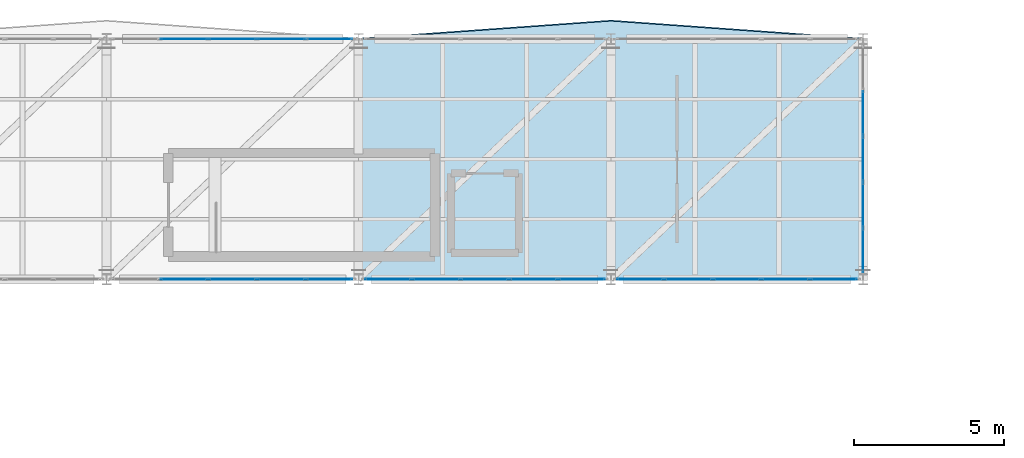
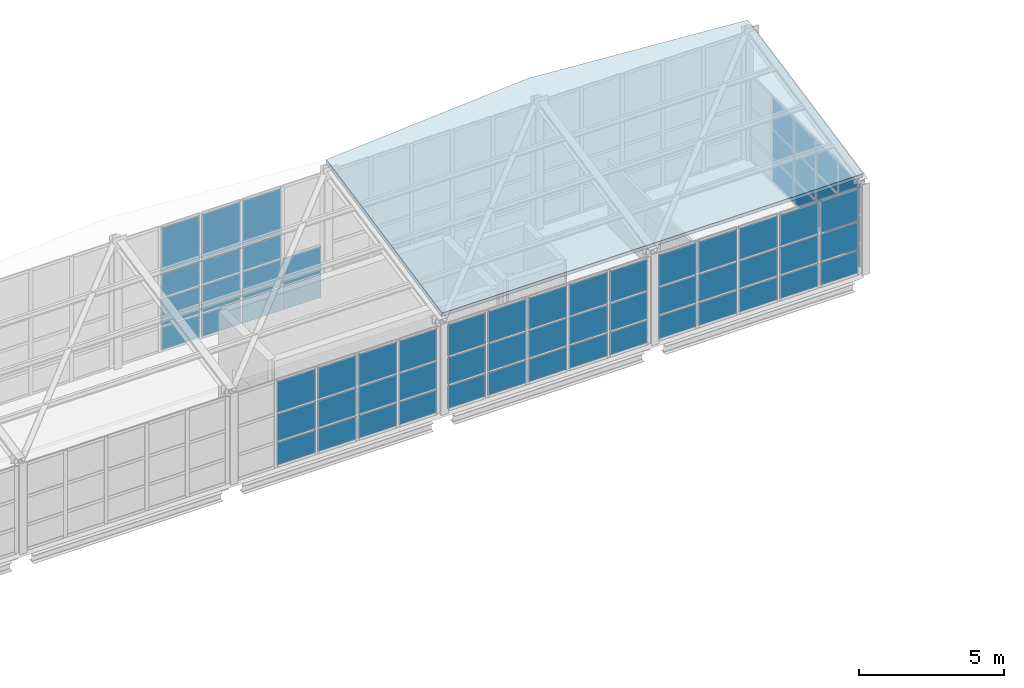
# One storey, part 139 of 177: 68 plates, 1 slab, 5 elements without a shape of their own.
"""IFC4 building model written with IfcOpenShell, lengths in metres."""

from ifc_helpers import new_model, si_unit, direction, frame, origin, origin_2d, place, context, subcontext, project, spatial, polyline, rectangle, outline, extrude, material, layer, layer_set, type_object, element, aggregate, save


model = new_model("IFC4")

# Units and contexts
model_context = context("Model", 3, precision=1e-05, world=origin(), true_north=direction((0.0, 1.0)))
body_context = subcontext(model_context, "Body", "Model", "MODEL_VIEW")
ifc_project = project(units=[si_unit("LENGTHUNIT", "METRE"), si_unit("AREAUNIT", "SQUARE_METRE"), si_unit("VOLUMEUNIT", "CUBIC_METRE"), si_unit("PLANEANGLEUNIT", "RADIAN"), si_unit("MASSUNIT", "GRAM", prefix="KILO"), si_unit("THERMODYNAMICTEMPERATUREUNIT", "KELVIN"), si_unit("POWERUNIT", "WATT")], contexts=[model_context])

# Site, building, storey
site_placement = place(None, origin())
site = spatial("IfcSite", under=ifc_project, at=site_placement, CompositionType="ELEMENT")
building_placement = place(site_placement, origin())
building = spatial("IfcBuilding", under=site, at=building_placement, Name="Mavoryth Pier Ferry Terminal", CompositionType="ELEMENT")
storey_placement = place(building_placement, frame((0.0, 0.0, 5.43994140625)))
storey = spatial("IfcBuildingStorey", under=building, at=storey_placement, Name="L01", CompositionType="ELEMENT", Elevation=5.43994140625)

# Curtain wall, plates
ifc_material_1 = material(Name="Anodised Aluminium and Solar-Control Low-E Glass", Category="aluminium")
ifc_layer_1 = layer(ifc_material_1, 0.139892578125, Name="Anodised Aluminium and Solar-Control Low-E Glass", Category="aluminium")
ifc_layer_set_1 = layer_set([ifc_layer_1], Name="Anodised Aluminium and Solar-Control Low-E Glass - CW-Gallery-Mod1600")
curtain_wall_type = type_object("IfcCurtainWallType", Name="CW-Gallery-Mod1600", PredefinedType="USERDEFINED", material=ifc_layer_set_1)
curtain_wall_1_placement = place(storey_placement, origin())
curtain_wall_1 = element("IfcCurtainWall", 1, at=curtain_wall_1_placement, inside=storey, type_object=curtain_wall_type, Name="Curtain Wall CW-0122-090", ObjectType="UNITISED CURTAIN WALL", PredefinedType="USERDEFINED")
ifc_material_2 = material(Name="Solar-Control Low-E Laminated Double Glazing", Category="glass")
ifc_layer_2 = layer(ifc_material_2, 0.02392578125, Name="Solar-Control Low-E Laminated Double Glazing", Category="glass")
ifc_layer_set_2 = layer_set([ifc_layer_2], Name="Solar-Control Low-E Laminated Double Glazing - Panel-LowE-DGU-24")
plate_type = type_object("IfcPlateType", Name="Panel-LowE-DGU-24", PredefinedType="CURTAIN_PANEL", material=ifc_layer_set_2)
plate_1_placement = place(storey_placement, frame((133.425048828125, 114.0, 0.06005859375), z_axis=(0.0, 0.0, 1.0), x_axis=(-1.0, 0.0, 0.0)))
plate_1 = element("IfcPlate", 2, at=plate_1_placement, type_object=plate_type, Name="CW05 panel 1.1", PredefinedType="CURTAIN_PANEL", context=body_context, shape_type="SweptSolid", body=[
    extrude(rectangle(XDim=1.530029296875, YDim=0.02392578125, at=origin_2d()), origin(), (0.0, 0.0, 1.0), 0.9599609375),
])
plate_2_placement = place(storey_placement, frame((133.425048828125, 114.0, 1.080078125), z_axis=(0.0, 0.0, 1.0), x_axis=(-1.0, 0.0, 0.0)))
plate_2 = element("IfcPlate", 3, at=plate_2_placement, type_object=plate_type, Name="CW05 panel 1.2", PredefinedType="CURTAIN_PANEL", context=body_context, shape_type="SweptSolid", body=[
    extrude(rectangle(XDim=1.530029296875, YDim=0.02392578125, at=origin_2d()), origin(), (0.0, 0.0, 1.0), 1.139892578125),
])
plate_3_placement = place(storey_placement, frame((131.820068359375, 114.0, 0.06005859375), z_axis=(0.0, 0.0, 1.0), x_axis=(-1.0, 0.0, 0.0)))
plate_3 = element("IfcPlate", 4, at=plate_3_placement, type_object=plate_type, Name="CW05 panel 2.1", PredefinedType="CURTAIN_PANEL", context=body_context, shape_type="SweptSolid", body=[
    extrude(rectangle(XDim=1.56005859375, YDim=0.02392578125, at=origin_2d()), origin(), (0.0, 0.0, 1.0), 0.9599609375),
])
plate_4_placement = place(storey_placement, frame((131.820068359375, 114.0, 1.080078125), z_axis=(0.0, 0.0, 1.0), x_axis=(-1.0, 0.0, 0.0)))
plate_4 = element("IfcPlate", 5, at=plate_4_placement, type_object=plate_type, Name="CW05 panel 2.2", PredefinedType="CURTAIN_PANEL", context=body_context, shape_type="SweptSolid", body=[
    extrude(rectangle(XDim=1.56005859375, YDim=0.02392578125, at=origin_2d()), origin(), (0.0, 0.0, 1.0), 1.139892578125),
])
plate_5_placement = place(storey_placement, frame((131.820068359375, 114.0, 2.2802734375), z_axis=(0.0, 0.0, 1.0), x_axis=(-1.0, 0.0, 0.0)))
plate_5 = element("IfcPlate", 6, at=plate_5_placement, type_object=plate_type, Name="CW05 panel 2.3", PredefinedType="CURTAIN_PANEL", context=body_context, shape_type="SweptSolid", body=[
    extrude(rectangle(XDim=1.56005859375, YDim=0.02392578125, at=origin_2d()), origin(), (0.0, 0.0, 1.0), 0.989990234375),
])
plate_6_placement = place(storey_placement, frame((131.820068359375, 114.0, 3.330078125), z_axis=(0.0, 0.0, 1.0), x_axis=(-1.0, 0.0, 0.0)))
plate_6 = element("IfcPlate", 7, at=plate_6_placement, type_object=plate_type, Name="CW05 panel 2.4", PredefinedType="CURTAIN_PANEL", context=body_context, shape_type="SweptSolid", body=[
    extrude(rectangle(XDim=1.56005859375, YDim=0.02392578125, at=origin_2d()), origin(), (0.0, 0.0, 1.0), 1.897705078125),
])
plate_7_placement = place(storey_placement, frame((130.199951171875, 114.0, 0.06005859375), z_axis=(0.0, 0.0, 1.0), x_axis=(-1.0, 0.0, 0.0)))
plate_7 = element("IfcPlate", 8, at=plate_7_placement, type_object=plate_type, Name="CW05 panel 3.1", PredefinedType="CURTAIN_PANEL", context=body_context, shape_type="SweptSolid", body=[
    extrude(rectangle(XDim=1.56005859375, YDim=0.02392578125, at=origin_2d()), origin(), (0.0, 0.0, 1.0), 0.9599609375),
])
plate_8_placement = place(storey_placement, frame((130.199951171875, 114.0, 1.080078125), z_axis=(0.0, 0.0, 1.0), x_axis=(-1.0, 0.0, 0.0)))
plate_8 = element("IfcPlate", 9, at=plate_8_placement, type_object=plate_type, Name="CW05 panel 3.2", PredefinedType="CURTAIN_PANEL", context=body_context, shape_type="SweptSolid", body=[
    extrude(rectangle(XDim=1.56005859375, YDim=0.02392578125, at=origin_2d()), origin(), (0.0, 0.0, 1.0), 1.139892578125),
])
plate_9_placement = place(storey_placement, frame((130.199951171875, 114.0, 2.2802734375), z_axis=(0.0, 0.0, 1.0), x_axis=(-1.0, 0.0, 0.0)))
plate_9 = element("IfcPlate", 10, at=plate_9_placement, type_object=plate_type, Name="CW05 panel 3.3", PredefinedType="CURTAIN_PANEL", context=body_context, shape_type="SweptSolid", body=[
    extrude(rectangle(XDim=1.56005859375, YDim=0.02392578125, at=origin_2d()), origin(), (0.0, 0.0, 1.0), 0.989990234375),
])
plate_10_placement = place(storey_placement, frame((130.199951171875, 114.0, 3.330078125), z_axis=(0.0, 0.0, 1.0), x_axis=(-1.0, 0.0, 0.0)))
plate_10 = element("IfcPlate", 11, at=plate_10_placement, type_object=plate_type, Name="CW05 panel 3.4", PredefinedType="CURTAIN_PANEL", context=body_context, shape_type="SweptSolid", body=[
    extrude(rectangle(XDim=1.56005859375, YDim=0.02392578125, at=origin_2d()), origin(), (0.0, 0.0, 1.0), 1.897705078125),
])
plate_11_placement = place(storey_placement, frame((128.580078125, 114.0, 0.06005859375), z_axis=(0.0, 0.0, 1.0), x_axis=(-1.0, 0.0, 0.0)))
plate_11 = element("IfcPlate", 12, at=plate_11_placement, type_object=plate_type, Name="CW05 panel 4.1", PredefinedType="CURTAIN_PANEL", context=body_context, shape_type="SweptSolid", body=[
    extrude(rectangle(XDim=1.56005859375, YDim=0.02392578125, at=origin_2d()), origin(), (0.0, 0.0, 1.0), 0.9599609375),
])
plate_12_placement = place(storey_placement, frame((128.580078125, 114.0, 1.080078125), z_axis=(0.0, 0.0, 1.0), x_axis=(-1.0, 0.0, 0.0)))
plate_12 = element("IfcPlate", 13, at=plate_12_placement, type_object=plate_type, Name="CW05 panel 4.2", PredefinedType="CURTAIN_PANEL", context=body_context, shape_type="SweptSolid", body=[
    extrude(rectangle(XDim=1.56005859375, YDim=0.02392578125, at=origin_2d()), origin(), (0.0, 0.0, 1.0), 1.139892578125),
])
plate_13_placement = place(storey_placement, frame((128.580078125, 114.0, 2.2802734375), z_axis=(0.0, 0.0, 1.0), x_axis=(-1.0, 0.0, 0.0)))
plate_13 = element("IfcPlate", 14, at=plate_13_placement, type_object=plate_type, Name="CW05 panel 4.3", PredefinedType="CURTAIN_PANEL", context=body_context, shape_type="SweptSolid", body=[
    extrude(rectangle(XDim=1.56005859375, YDim=0.02392578125, at=origin_2d()), origin(), (0.0, 0.0, 1.0), 0.989990234375),
])
plate_14_placement = place(storey_placement, frame((128.580078125, 114.0, 3.330078125), z_axis=(0.0, 0.0, 1.0), x_axis=(-1.0, 0.0, 0.0)))
plate_14 = element("IfcPlate", 15, at=plate_14_placement, type_object=plate_type, Name="CW05 panel 4.4", PredefinedType="CURTAIN_PANEL", context=body_context, shape_type="SweptSolid", body=[
    extrude(rectangle(XDim=1.56005859375, YDim=0.02392578125, at=origin_2d()), origin(), (0.0, 0.0, 1.0), 1.897705078125),
])
aggregate(curtain_wall_1, [plate_1, plate_2, plate_3, plate_4, plate_5, plate_6, plate_7, plate_8, plate_9, plate_10, plate_11, plate_12, plate_13, plate_14])

curtain_wall_2_placement = place(storey_placement, origin())
curtain_wall_2 = element("IfcCurtainWall", 16, at=curtain_wall_2_placement, inside=storey, type_object=curtain_wall_type, Name="Curtain Wall CW-0122-091", ObjectType="UNITISED CURTAIN WALL", PredefinedType="USERDEFINED")
plate_15_placement = place(storey_placement, frame((128.580078125, 106.0, 0.06005859375), z_axis=(0.0, 0.0, 1.0), x_axis=(1.0, 0.0, 0.0)))
plate_15 = element("IfcPlate", 17, at=plate_15_placement, type_object=plate_type, Name="CW05 panel 2.1", PredefinedType="CURTAIN_PANEL", context=body_context, shape_type="SweptSolid", body=[
    extrude(rectangle(XDim=1.56005859375, YDim=0.02392578125, at=origin_2d()), origin(), (0.0, 0.0, 1.0), 0.9599609375),
])
plate_16_placement = place(storey_placement, frame((128.580078125, 106.0, 1.080078125), z_axis=(0.0, 0.0, 1.0), x_axis=(1.0, 0.0, 0.0)))
plate_16 = element("IfcPlate", 18, at=plate_16_placement, type_object=plate_type, Name="CW05 panel 2.2", PredefinedType="CURTAIN_PANEL", context=body_context, shape_type="SweptSolid", body=[
    extrude(rectangle(XDim=1.56005859375, YDim=0.02392578125, at=origin_2d()), origin(), (0.0, 0.0, 1.0), 1.139892578125),
])
plate_17_placement = place(storey_placement, frame((128.580078125, 106.0, 2.27978515625), z_axis=(0.0, 0.0, 1.0), x_axis=(1.0, 0.0, 0.0)))
plate_17 = element("IfcPlate", 19, at=plate_17_placement, type_object=plate_type, Name="CW05 panel 2.3", PredefinedType="CURTAIN_PANEL", context=body_context, shape_type="SweptSolid", body=[
    extrude(rectangle(XDim=1.56005859375, YDim=0.02392578125, at=origin_2d()), origin(), (0.0, 0.0, 1.0), 1.320068359375),
])
plate_18_placement = place(storey_placement, frame((130.199951171875, 106.0, 0.06005859375), z_axis=(0.0, 0.0, 1.0), x_axis=(1.0, 0.0, 0.0)))
plate_18 = element("IfcPlate", 20, at=plate_18_placement, type_object=plate_type, Name="CW05 panel 3.1", PredefinedType="CURTAIN_PANEL", context=body_context, shape_type="SweptSolid", body=[
    extrude(rectangle(XDim=1.56005859375, YDim=0.02392578125, at=origin_2d()), origin(), (0.0, 0.0, 1.0), 0.9599609375),
])
plate_19_placement = place(storey_placement, frame((130.199951171875, 106.0, 1.080078125), z_axis=(0.0, 0.0, 1.0), x_axis=(1.0, 0.0, 0.0)))
plate_19 = element("IfcPlate", 21, at=plate_19_placement, type_object=plate_type, Name="CW05 panel 3.2", PredefinedType="CURTAIN_PANEL", context=body_context, shape_type="SweptSolid", body=[
    extrude(rectangle(XDim=1.56005859375, YDim=0.02392578125, at=origin_2d()), origin(), (0.0, 0.0, 1.0), 1.139892578125),
])
plate_20_placement = place(storey_placement, frame((130.199951171875, 106.0, 2.27978515625), z_axis=(0.0, 0.0, 1.0), x_axis=(1.0, 0.0, 0.0)))
plate_20 = element("IfcPlate", 22, at=plate_20_placement, type_object=plate_type, Name="CW05 panel 3.3", PredefinedType="CURTAIN_PANEL", context=body_context, shape_type="SweptSolid", body=[
    extrude(rectangle(XDim=1.56005859375, YDim=0.02392578125, at=origin_2d()), origin(), (0.0, 0.0, 1.0), 1.320068359375),
])
plate_21_placement = place(storey_placement, frame((131.820068359375, 106.0, 0.06005859375), z_axis=(0.0, 0.0, 1.0), x_axis=(1.0, 0.0, 0.0)))
plate_21 = element("IfcPlate", 23, at=plate_21_placement, type_object=plate_type, Name="CW05 panel 4.1", PredefinedType="CURTAIN_PANEL", context=body_context, shape_type="SweptSolid", body=[
    extrude(rectangle(XDim=1.56005859375, YDim=0.02392578125, at=origin_2d()), origin(), (0.0, 0.0, 1.0), 0.9599609375),
])
plate_22_placement = place(storey_placement, frame((131.820068359375, 106.0, 1.080078125), z_axis=(0.0, 0.0, 1.0), x_axis=(1.0, 0.0, 0.0)))
plate_22 = element("IfcPlate", 24, at=plate_22_placement, type_object=plate_type, Name="CW05 panel 4.2", PredefinedType="CURTAIN_PANEL", context=body_context, shape_type="SweptSolid", body=[
    extrude(rectangle(XDim=1.56005859375, YDim=0.02392578125, at=origin_2d()), origin(), (0.0, 0.0, 1.0), 1.139892578125),
])
plate_23_placement = place(storey_placement, frame((131.820068359375, 106.0, 2.27978515625), z_axis=(0.0, 0.0, 1.0), x_axis=(1.0, 0.0, 0.0)))
plate_23 = element("IfcPlate", 25, at=plate_23_placement, type_object=plate_type, Name="CW05 panel 4.3", PredefinedType="CURTAIN_PANEL", context=body_context, shape_type="SweptSolid", body=[
    extrude(rectangle(XDim=1.56005859375, YDim=0.02392578125, at=origin_2d()), origin(), (0.0, 0.0, 1.0), 1.320068359375),
])
plate_24_placement = place(storey_placement, frame((133.425048828125, 106.0, 0.06005859375), z_axis=(0.0, 0.0, 1.0), x_axis=(1.0, 0.0, 0.0)))
plate_24 = element("IfcPlate", 26, at=plate_24_placement, type_object=plate_type, Name="CW05 panel 5.1", PredefinedType="CURTAIN_PANEL", context=body_context, shape_type="SweptSolid", body=[
    extrude(rectangle(XDim=1.530029296875, YDim=0.02392578125, at=origin_2d()), origin(), (0.0, 0.0, 1.0), 0.9599609375),
])
plate_25_placement = place(storey_placement, frame((133.425048828125, 106.0, 1.080078125), z_axis=(0.0, 0.0, 1.0), x_axis=(1.0, 0.0, 0.0)))
plate_25 = element("IfcPlate", 27, at=plate_25_placement, type_object=plate_type, Name="CW05 panel 5.2", PredefinedType="CURTAIN_PANEL", context=body_context, shape_type="SweptSolid", body=[
    extrude(rectangle(XDim=1.530029296875, YDim=0.02392578125, at=origin_2d()), origin(), (0.0, 0.0, 1.0), 1.139892578125),
])
plate_26_placement = place(storey_placement, frame((133.425048828125, 106.0, 2.27978515625), z_axis=(0.0, 0.0, 1.0), x_axis=(1.0, 0.0, 0.0)))
plate_26 = element("IfcPlate", 28, at=plate_26_placement, type_object=plate_type, Name="CW05 panel 5.3", PredefinedType="CURTAIN_PANEL", context=body_context, shape_type="SweptSolid", body=[
    extrude(rectangle(XDim=1.530029296875, YDim=0.02392578125, at=origin_2d()), origin(), (0.0, 0.0, 1.0), 1.320068359375),
])
aggregate(curtain_wall_2, [plate_15, plate_16, plate_17, plate_18, plate_19, plate_20, plate_21, plate_22, plate_23, plate_24, plate_25, plate_26])

curtain_wall_3_placement = place(storey_placement, origin())
curtain_wall_3 = element("IfcCurtainWall", 29, at=curtain_wall_3_placement, inside=storey, type_object=curtain_wall_type, Name="Curtain Wall CW-0122-093", ObjectType="UNITISED CURTAIN WALL", PredefinedType="USERDEFINED")
plate_27_placement = place(storey_placement, frame((135.375, 106.0, 0.06005859375), z_axis=(0.0, 0.0, 1.0), x_axis=(1.0, 0.0, 0.0)))
plate_27 = element("IfcPlate", 30, at=plate_27_placement, type_object=plate_type, Name="CW05 panel 1.1", PredefinedType="CURTAIN_PANEL", context=body_context, shape_type="SweptSolid", body=[
    extrude(rectangle(XDim=1.530029296875, YDim=0.02392578125, at=origin_2d()), origin(), (0.0, 0.0, 1.0), 0.9599609375),
])
plate_28_placement = place(storey_placement, frame((135.375, 106.0, 1.080078125), z_axis=(0.0, 0.0, 1.0), x_axis=(1.0, 0.0, 0.0)))
plate_28 = element("IfcPlate", 31, at=plate_28_placement, type_object=plate_type, Name="CW05 panel 1.2", PredefinedType="CURTAIN_PANEL", context=body_context, shape_type="SweptSolid", body=[
    extrude(rectangle(XDim=1.530029296875, YDim=0.02392578125, at=origin_2d()), origin(), (0.0, 0.0, 1.0), 1.139892578125),
])
plate_29_placement = place(storey_placement, frame((135.375, 106.0, 2.27978515625), z_axis=(0.0, 0.0, 1.0), x_axis=(1.0, 0.0, 0.0)))
plate_29 = element("IfcPlate", 32, at=plate_29_placement, type_object=plate_type, Name="CW05 panel 1.3", PredefinedType="CURTAIN_PANEL", context=body_context, shape_type="SweptSolid", body=[
    extrude(rectangle(XDim=1.530029296875, YDim=0.02392578125, at=origin_2d()), origin(), (0.0, 0.0, 1.0), 1.320068359375),
])
plate_30_placement = place(storey_placement, frame((136.97998046875, 106.0, 0.06005859375), z_axis=(0.0, 0.0, 1.0), x_axis=(1.0, 0.0, 0.0)))
plate_30 = element("IfcPlate", 33, at=plate_30_placement, type_object=plate_type, Name="CW05 panel 2.1", PredefinedType="CURTAIN_PANEL", context=body_context, shape_type="SweptSolid", body=[
    extrude(rectangle(XDim=1.56005859375, YDim=0.02392578125, at=origin_2d()), origin(), (0.0, 0.0, 1.0), 0.9599609375),
])
plate_31_placement = place(storey_placement, frame((136.97998046875, 106.0, 1.080078125), z_axis=(0.0, 0.0, 1.0), x_axis=(1.0, 0.0, 0.0)))
plate_31 = element("IfcPlate", 34, at=plate_31_placement, type_object=plate_type, Name="CW05 panel 2.2", PredefinedType="CURTAIN_PANEL", context=body_context, shape_type="SweptSolid", body=[
    extrude(rectangle(XDim=1.56005859375, YDim=0.02392578125, at=origin_2d()), origin(), (0.0, 0.0, 1.0), 1.139892578125),
])
plate_32_placement = place(storey_placement, frame((136.97998046875, 106.0, 2.27978515625), z_axis=(0.0, 0.0, 1.0), x_axis=(1.0, 0.0, 0.0)))
plate_32 = element("IfcPlate", 35, at=plate_32_placement, type_object=plate_type, Name="CW05 panel 2.3", PredefinedType="CURTAIN_PANEL", context=body_context, shape_type="SweptSolid", body=[
    extrude(rectangle(XDim=1.56005859375, YDim=0.02392578125, at=origin_2d()), origin(), (0.0, 0.0, 1.0), 1.320068359375),
])
plate_33_placement = place(storey_placement, frame((138.60009765625, 106.0, 0.06005859375), z_axis=(0.0, 0.0, 1.0), x_axis=(1.0, 0.0, 0.0)))
plate_33 = element("IfcPlate", 36, at=plate_33_placement, type_object=plate_type, Name="CW05 panel 3.1", PredefinedType="CURTAIN_PANEL", context=body_context, shape_type="SweptSolid", body=[
    extrude(rectangle(XDim=1.56005859375, YDim=0.02392578125, at=origin_2d()), origin(), (0.0, 0.0, 1.0), 0.9599609375),
])
plate_34_placement = place(storey_placement, frame((138.60009765625, 106.0, 1.080078125), z_axis=(0.0, 0.0, 1.0), x_axis=(1.0, 0.0, 0.0)))
plate_34 = element("IfcPlate", 37, at=plate_34_placement, type_object=plate_type, Name="CW05 panel 3.2", PredefinedType="CURTAIN_PANEL", context=body_context, shape_type="SweptSolid", body=[
    extrude(rectangle(XDim=1.56005859375, YDim=0.02392578125, at=origin_2d()), origin(), (0.0, 0.0, 1.0), 1.139892578125),
])
plate_35_placement = place(storey_placement, frame((138.60009765625, 106.0, 2.27978515625), z_axis=(0.0, 0.0, 1.0), x_axis=(1.0, 0.0, 0.0)))
plate_35 = element("IfcPlate", 38, at=plate_35_placement, type_object=plate_type, Name="CW05 panel 3.3", PredefinedType="CURTAIN_PANEL", context=body_context, shape_type="SweptSolid", body=[
    extrude(rectangle(XDim=1.56005859375, YDim=0.02392578125, at=origin_2d()), origin(), (0.0, 0.0, 1.0), 1.320068359375),
])
plate_36_placement = place(storey_placement, frame((140.219970703125, 106.0, 0.06005859375), z_axis=(0.0, 0.0, 1.0), x_axis=(1.0, 0.0, 0.0)))
plate_36 = element("IfcPlate", 39, at=plate_36_placement, type_object=plate_type, Name="CW05 panel 4.1", PredefinedType="CURTAIN_PANEL", context=body_context, shape_type="SweptSolid", body=[
    extrude(rectangle(XDim=1.56005859375, YDim=0.02392578125, at=origin_2d()), origin(), (0.0, 0.0, 1.0), 0.9599609375),
])
plate_37_placement = place(storey_placement, frame((140.219970703125, 106.0, 1.080078125), z_axis=(0.0, 0.0, 1.0), x_axis=(1.0, 0.0, 0.0)))
plate_37 = element("IfcPlate", 40, at=plate_37_placement, type_object=plate_type, Name="CW05 panel 4.2", PredefinedType="CURTAIN_PANEL", context=body_context, shape_type="SweptSolid", body=[
    extrude(rectangle(XDim=1.56005859375, YDim=0.02392578125, at=origin_2d()), origin(), (0.0, 0.0, 1.0), 1.139892578125),
])
plate_38_placement = place(storey_placement, frame((140.219970703125, 106.0, 2.27978515625), z_axis=(0.0, 0.0, 1.0), x_axis=(1.0, 0.0, 0.0)))
plate_38 = element("IfcPlate", 41, at=plate_38_placement, type_object=plate_type, Name="CW05 panel 4.3", PredefinedType="CURTAIN_PANEL", context=body_context, shape_type="SweptSolid", body=[
    extrude(rectangle(XDim=1.56005859375, YDim=0.02392578125, at=origin_2d()), origin(), (0.0, 0.0, 1.0), 1.320068359375),
])
plate_39_placement = place(storey_placement, frame((141.824951171875, 106.0, 0.06005859375), z_axis=(0.0, 0.0, 1.0), x_axis=(1.0, 0.0, 0.0)))
plate_39 = element("IfcPlate", 42, at=plate_39_placement, type_object=plate_type, Name="CW05 panel 5.1", PredefinedType="CURTAIN_PANEL", context=body_context, shape_type="SweptSolid", body=[
    extrude(rectangle(XDim=1.530029296875, YDim=0.02392578125, at=origin_2d()), origin(), (0.0, 0.0, 1.0), 0.9599609375),
])
plate_40_placement = place(storey_placement, frame((141.824951171875, 106.0, 1.080078125), z_axis=(0.0, 0.0, 1.0), x_axis=(1.0, 0.0, 0.0)))
plate_40 = element("IfcPlate", 43, at=plate_40_placement, type_object=plate_type, Name="CW05 panel 5.2", PredefinedType="CURTAIN_PANEL", context=body_context, shape_type="SweptSolid", body=[
    extrude(rectangle(XDim=1.530029296875, YDim=0.02392578125, at=origin_2d()), origin(), (0.0, 0.0, 1.0), 1.139892578125),
])
plate_41_placement = place(storey_placement, frame((141.824951171875, 106.0, 2.27978515625), z_axis=(0.0, 0.0, 1.0), x_axis=(1.0, 0.0, 0.0)))
plate_41 = element("IfcPlate", 44, at=plate_41_placement, type_object=plate_type, Name="CW05 panel 5.3", PredefinedType="CURTAIN_PANEL", context=body_context, shape_type="SweptSolid", body=[
    extrude(rectangle(XDim=1.530029296875, YDim=0.02392578125, at=origin_2d()), origin(), (0.0, 0.0, 1.0), 1.320068359375),
])
aggregate(curtain_wall_3, [plate_27, plate_28, plate_29, plate_30, plate_31, plate_32, plate_33, plate_34, plate_35, plate_36, plate_37, plate_38, plate_39, plate_40, plate_41])

curtain_wall_4_placement = place(storey_placement, origin())
curtain_wall_4 = element("IfcCurtainWall", 45, at=curtain_wall_4_placement, inside=storey, type_object=curtain_wall_type, Name="Curtain Wall CW-0122-095", ObjectType="UNITISED CURTAIN WALL", PredefinedType="USERDEFINED")
plate_42_placement = place(storey_placement, frame((143.77490234375, 106.0, 0.06005859375), z_axis=(0.0, 0.0, 1.0), x_axis=(1.0, 0.0, 0.0)))
plate_42 = element("IfcPlate", 46, at=plate_42_placement, type_object=plate_type, Name="CW05 panel 1.1", PredefinedType="CURTAIN_PANEL", context=body_context, shape_type="SweptSolid", body=[
    extrude(rectangle(XDim=1.530029296875, YDim=0.02392578125, at=origin_2d()), origin(), (0.0, 0.0, 1.0), 0.9599609375),
])
plate_43_placement = place(storey_placement, frame((143.77490234375, 106.0, 1.080078125), z_axis=(0.0, 0.0, 1.0), x_axis=(1.0, 0.0, 0.0)))
plate_43 = element("IfcPlate", 47, at=plate_43_placement, type_object=plate_type, Name="CW05 panel 1.2", PredefinedType="CURTAIN_PANEL", context=body_context, shape_type="SweptSolid", body=[
    extrude(rectangle(XDim=1.530029296875, YDim=0.02392578125, at=origin_2d()), origin(), (0.0, 0.0, 1.0), 1.139892578125),
])
plate_44_placement = place(storey_placement, frame((143.77490234375, 106.0, 2.27978515625), z_axis=(0.0, 0.0, 1.0), x_axis=(1.0, 0.0, 0.0)))
plate_44 = element("IfcPlate", 48, at=plate_44_placement, type_object=plate_type, Name="CW05 panel 1.3", PredefinedType="CURTAIN_PANEL", context=body_context, shape_type="SweptSolid", body=[
    extrude(rectangle(XDim=1.530029296875, YDim=0.02392578125, at=origin_2d()), origin(), (0.0, 0.0, 1.0), 1.320068359375),
])
plate_45_placement = place(storey_placement, frame((145.3798828125, 106.0, 0.06005859375), z_axis=(0.0, 0.0, 1.0), x_axis=(1.0, 0.0, 0.0)))
plate_45 = element("IfcPlate", 49, at=plate_45_placement, type_object=plate_type, Name="CW05 panel 2.1", PredefinedType="CURTAIN_PANEL", context=body_context, shape_type="SweptSolid", body=[
    extrude(rectangle(XDim=1.56005859375, YDim=0.02392578125, at=origin_2d()), origin(), (0.0, 0.0, 1.0), 0.9599609375),
])
plate_46_placement = place(storey_placement, frame((145.3798828125, 106.0, 1.080078125), z_axis=(0.0, 0.0, 1.0), x_axis=(1.0, 0.0, 0.0)))
plate_46 = element("IfcPlate", 50, at=plate_46_placement, type_object=plate_type, Name="CW05 panel 2.2", PredefinedType="CURTAIN_PANEL", context=body_context, shape_type="SweptSolid", body=[
    extrude(rectangle(XDim=1.56005859375, YDim=0.02392578125, at=origin_2d()), origin(), (0.0, 0.0, 1.0), 1.139892578125),
])
plate_47_placement = place(storey_placement, frame((145.3798828125, 106.0, 2.27978515625), z_axis=(0.0, 0.0, 1.0), x_axis=(1.0, 0.0, 0.0)))
plate_47 = element("IfcPlate", 51, at=plate_47_placement, type_object=plate_type, Name="CW05 panel 2.3", PredefinedType="CURTAIN_PANEL", context=body_context, shape_type="SweptSolid", body=[
    extrude(rectangle(XDim=1.56005859375, YDim=0.02392578125, at=origin_2d()), origin(), (0.0, 0.0, 1.0), 1.320068359375),
])
plate_48_placement = place(storey_placement, frame((147.0, 106.0, 0.06005859375), z_axis=(0.0, 0.0, 1.0), x_axis=(1.0, 0.0, 0.0)))
plate_48 = element("IfcPlate", 52, at=plate_48_placement, type_object=plate_type, Name="CW05 panel 3.1", PredefinedType="CURTAIN_PANEL", context=body_context, shape_type="SweptSolid", body=[
    extrude(rectangle(XDim=1.56005859375, YDim=0.02392578125, at=origin_2d()), origin(), (0.0, 0.0, 1.0), 0.9599609375),
])
plate_49_placement = place(storey_placement, frame((147.0, 106.0, 1.080078125), z_axis=(0.0, 0.0, 1.0), x_axis=(1.0, 0.0, 0.0)))
plate_49 = element("IfcPlate", 53, at=plate_49_placement, type_object=plate_type, Name="CW05 panel 3.2", PredefinedType="CURTAIN_PANEL", context=body_context, shape_type="SweptSolid", body=[
    extrude(rectangle(XDim=1.56005859375, YDim=0.02392578125, at=origin_2d()), origin(), (0.0, 0.0, 1.0), 1.139892578125),
])
plate_50_placement = place(storey_placement, frame((147.0, 106.0, 2.27978515625), z_axis=(0.0, 0.0, 1.0), x_axis=(1.0, 0.0, 0.0)))
plate_50 = element("IfcPlate", 54, at=plate_50_placement, type_object=plate_type, Name="CW05 panel 3.3", PredefinedType="CURTAIN_PANEL", context=body_context, shape_type="SweptSolid", body=[
    extrude(rectangle(XDim=1.56005859375, YDim=0.02392578125, at=origin_2d()), origin(), (0.0, 0.0, 1.0), 1.320068359375),
])
plate_51_placement = place(storey_placement, frame((148.6201171875, 106.0, 0.06005859375), z_axis=(0.0, 0.0, 1.0), x_axis=(1.0, 0.0, 0.0)))
plate_51 = element("IfcPlate", 55, at=plate_51_placement, type_object=plate_type, Name="CW05 panel 4.1", PredefinedType="CURTAIN_PANEL", context=body_context, shape_type="SweptSolid", body=[
    extrude(rectangle(XDim=1.56005859375, YDim=0.02392578125, at=origin_2d()), origin(), (0.0, 0.0, 1.0), 0.9599609375),
])
plate_52_placement = place(storey_placement, frame((148.6201171875, 106.0, 1.080078125), z_axis=(0.0, 0.0, 1.0), x_axis=(1.0, 0.0, 0.0)))
plate_52 = element("IfcPlate", 56, at=plate_52_placement, type_object=plate_type, Name="CW05 panel 4.2", PredefinedType="CURTAIN_PANEL", context=body_context, shape_type="SweptSolid", body=[
    extrude(rectangle(XDim=1.56005859375, YDim=0.02392578125, at=origin_2d()), origin(), (0.0, 0.0, 1.0), 1.139892578125),
])
plate_53_placement = place(storey_placement, frame((148.6201171875, 106.0, 2.27978515625), z_axis=(0.0, 0.0, 1.0), x_axis=(1.0, 0.0, 0.0)))
plate_53 = element("IfcPlate", 57, at=plate_53_placement, type_object=plate_type, Name="CW05 panel 4.3", PredefinedType="CURTAIN_PANEL", context=body_context, shape_type="SweptSolid", body=[
    extrude(rectangle(XDim=1.56005859375, YDim=0.02392578125, at=origin_2d()), origin(), (0.0, 0.0, 1.0), 1.320068359375),
])
plate_54_placement = place(storey_placement, frame((150.22509765625, 106.0, 0.06005859375), z_axis=(0.0, 0.0, 1.0), x_axis=(1.0, 0.0, 0.0)))
plate_54 = element("IfcPlate", 58, at=plate_54_placement, type_object=plate_type, Name="CW05 panel 5.1", PredefinedType="CURTAIN_PANEL", context=body_context, shape_type="SweptSolid", body=[
    extrude(rectangle(XDim=1.530029296875, YDim=0.02392578125, at=origin_2d()), origin(), (0.0, 0.0, 1.0), 0.9599609375),
])
plate_55_placement = place(storey_placement, frame((150.22509765625, 106.0, 1.080078125), z_axis=(0.0, 0.0, 1.0), x_axis=(1.0, 0.0, 0.0)))
plate_55 = element("IfcPlate", 59, at=plate_55_placement, type_object=plate_type, Name="CW05 panel 5.2", PredefinedType="CURTAIN_PANEL", context=body_context, shape_type="SweptSolid", body=[
    extrude(rectangle(XDim=1.530029296875, YDim=0.02392578125, at=origin_2d()), origin(), (0.0, 0.0, 1.0), 1.139892578125),
])
plate_56_placement = place(storey_placement, frame((150.22509765625, 106.0, 2.27978515625), z_axis=(0.0, 0.0, 1.0), x_axis=(1.0, 0.0, 0.0)))
plate_56 = element("IfcPlate", 60, at=plate_56_placement, type_object=plate_type, Name="CW05 panel 5.3", PredefinedType="CURTAIN_PANEL", context=body_context, shape_type="SweptSolid", body=[
    extrude(rectangle(XDim=1.530029296875, YDim=0.02392578125, at=origin_2d()), origin(), (0.0, 0.0, 1.0), 1.320068359375),
])
aggregate(curtain_wall_4, [plate_42, plate_43, plate_44, plate_45, plate_46, plate_47, plate_48, plate_49, plate_50, plate_51, plate_52, plate_53, plate_54, plate_55, plate_56])

curtain_wall_5_placement = place(storey_placement, origin())
curtain_wall_5 = element("IfcCurtainWall", 61, at=curtain_wall_5_placement, inside=storey, type_object=curtain_wall_type, Name="Curtain Wall CW-0122-097", ObjectType="UNITISED CURTAIN WALL", PredefinedType="USERDEFINED")
plate_57_placement = place(storey_placement, frame((151.199951171875, 106.958984375, 0.06005859375), z_axis=(0.0, 0.0, 1.0), x_axis=(0.0, 1.0, 0.0)))
plate_57 = element("IfcPlate", 62, at=plate_57_placement, type_object=plate_type, Name="CW05 panel 1.1", PredefinedType="CURTAIN_PANEL", context=body_context, shape_type="SweptSolid", body=[
    extrude(rectangle(XDim=1.43798828125, YDim=0.02392578125, at=origin_2d()), origin(), (0.0, 0.0, 1.0), 0.9599609375),
])
plate_58_placement = place(storey_placement, frame((151.199951171875, 106.958984375, 1.080078125), z_axis=(0.0, 0.0, 1.0), x_axis=(0.0, 1.0, 0.0)))
plate_58 = element("IfcPlate", 63, at=plate_58_placement, type_object=plate_type, Name="CW05 panel 1.2", PredefinedType="CURTAIN_PANEL", context=body_context, shape_type="SweptSolid", body=[
    extrude(rectangle(XDim=1.43798828125, YDim=0.02392578125, at=origin_2d()), origin(), (0.0, 0.0, 1.0), 1.139892578125),
])
plate_59_placement = place(storey_placement, frame((151.199951171875, 106.958984375, 2.27978515625), z_axis=(0.0, 0.0, 1.0), x_axis=(0.0, 1.0, 0.0)))
plate_59 = element("IfcPlate", 64, at=plate_59_placement, type_object=plate_type, Name="CW05 panel 1.3", PredefinedType="CURTAIN_PANEL", context=body_context, shape_type="SweptSolid", body=[
    extrude(rectangle(XDim=1.43798828125, YDim=0.02392578125, at=origin_2d()), origin(), (0.0, 0.0, 1.0), 1.320068359375),
])
plate_60_placement = place(storey_placement, frame((151.199951171875, 108.471923828125, 0.06005859375), z_axis=(0.0, 0.0, 1.0), x_axis=(0.0, 1.0, 0.0)))
plate_60 = element("IfcPlate", 65, at=plate_60_placement, type_object=plate_type, Name="CW05 panel 2.1", PredefinedType="CURTAIN_PANEL", context=body_context, shape_type="SweptSolid", body=[
    extrude(rectangle(XDim=1.468017578125, YDim=0.02392578125, at=origin_2d()), origin(), (0.0, 0.0, 1.0), 0.9599609375),
])
plate_61_placement = place(storey_placement, frame((151.199951171875, 108.471923828125, 1.080078125), z_axis=(0.0, 0.0, 1.0), x_axis=(0.0, 1.0, 0.0)))
plate_61 = element("IfcPlate", 66, at=plate_61_placement, type_object=plate_type, Name="CW05 panel 2.2", PredefinedType="CURTAIN_PANEL", context=body_context, shape_type="SweptSolid", body=[
    extrude(rectangle(XDim=1.468017578125, YDim=0.02392578125, at=origin_2d()), origin(), (0.0, 0.0, 1.0), 1.139892578125),
])
plate_62_placement = place(storey_placement, frame((151.199951171875, 108.471923828125, 2.27978515625), z_axis=(0.0, 0.0, 1.0), x_axis=(0.0, 1.0, 0.0)))
plate_62 = element("IfcPlate", 67, at=plate_62_placement, type_object=plate_type, Name="CW05 panel 2.3", PredefinedType="CURTAIN_PANEL", context=body_context, shape_type="SweptSolid", body=[
    extrude(rectangle(XDim=1.468017578125, YDim=0.02392578125, at=origin_2d()), origin(), (0.0, 0.0, 1.0), 1.320068359375),
])
plate_63_placement = place(storey_placement, frame((151.199951171875, 110.0, 0.06005859375), z_axis=(0.0, 0.0, 1.0), x_axis=(0.0, 1.0, 0.0)))
plate_63 = element("IfcPlate", 68, at=plate_63_placement, type_object=plate_type, Name="CW05 panel 3.1", PredefinedType="CURTAIN_PANEL", context=body_context, shape_type="SweptSolid", body=[
    extrude(rectangle(XDim=1.468017578125, YDim=0.02392578125, at=origin_2d()), origin(), (0.0, 0.0, 1.0), 0.9599609375),
])
plate_64_placement = place(storey_placement, frame((151.199951171875, 110.0, 1.080078125), z_axis=(0.0, 0.0, 1.0), x_axis=(0.0, 1.0, 0.0)))
plate_64 = element("IfcPlate", 69, at=plate_64_placement, type_object=plate_type, Name="CW05 panel 3.2", PredefinedType="CURTAIN_PANEL", context=body_context, shape_type="SweptSolid", body=[
    extrude(rectangle(XDim=1.468017578125, YDim=0.02392578125, at=origin_2d()), origin(), (0.0, 0.0, 1.0), 1.139892578125),
])
plate_65_placement = place(storey_placement, frame((151.199951171875, 110.0, 2.27978515625), z_axis=(0.0, 0.0, 1.0), x_axis=(0.0, 1.0, 0.0)))
plate_65 = element("IfcPlate", 70, at=plate_65_placement, type_object=plate_type, Name="CW05 panel 3.3", PredefinedType="CURTAIN_PANEL", context=body_context, shape_type="SweptSolid", body=[
    extrude(rectangle(XDim=1.468017578125, YDim=0.02392578125, at=origin_2d()), origin(), (0.0, 0.0, 1.0), 1.320068359375),
])
plate_66_placement = place(storey_placement, frame((151.199951171875, 111.528076171875, 0.06005859375), z_axis=(0.0, 0.0, 1.0), x_axis=(0.0, 1.0, 0.0)))
plate_66 = element("IfcPlate", 71, at=plate_66_placement, type_object=plate_type, Name="CW05 panel 4.1", PredefinedType="CURTAIN_PANEL", context=body_context, shape_type="SweptSolid", body=[
    extrude(rectangle(XDim=1.468017578125, YDim=0.02392578125, at=origin_2d()), origin(), (0.0, 0.0, 1.0), 0.9599609375),
])
plate_67_placement = place(storey_placement, frame((151.199951171875, 111.528076171875, 1.080078125), z_axis=(0.0, 0.0, 1.0), x_axis=(0.0, 1.0, 0.0)))
plate_67 = element("IfcPlate", 72, at=plate_67_placement, type_object=plate_type, Name="CW05 panel 4.2", PredefinedType="CURTAIN_PANEL", context=body_context, shape_type="SweptSolid", body=[
    extrude(rectangle(XDim=1.468017578125, YDim=0.02392578125, at=origin_2d()), origin(), (0.0, 0.0, 1.0), 1.139892578125),
])
plate_68_placement = place(storey_placement, frame((151.199951171875, 111.528076171875, 2.27978515625), z_axis=(0.0, 0.0, 1.0), x_axis=(0.0, 1.0, 0.0)))
plate_68 = element("IfcPlate", 73, at=plate_68_placement, type_object=plate_type, Name="CW05 panel 4.3", PredefinedType="CURTAIN_PANEL", context=body_context, shape_type="SweptSolid", body=[
    extrude(rectangle(XDim=1.468017578125, YDim=0.02392578125, at=origin_2d()), origin(), (0.0, 0.0, 1.0), 1.320068359375),
])
aggregate(curtain_wall_5, [plate_57, plate_58, plate_59, plate_60, plate_61, plate_62, plate_63, plate_64, plate_65, plate_66, plate_67, plate_68])

# Slab
ifc_material_3 = material(Name="Concrete C35/45", Category="concrete")
ifc_layer_3 = layer(ifc_material_3, 0.179931640625, Name="Concrete C35/45", Category="concrete")
ifc_layer_set_3 = layer_set([ifc_layer_3], Name="Concrete C35/45 - Slab-Roof-GalleryV3-180")
slab_type = type_object("IfcSlabType", Name="Slab-Roof-GalleryV3-180", PredefinedType="ROOF", material=ifc_layer_set_3)
slab_placement = place(storey_placement, frame((134.39990234375, 106.0, 4.16015625), z_axis=(0.0, -0.19934668232, 0.979929028169), x_axis=(1.0, 0.0, 0.0)))
element("IfcSlab", 74, at=slab_placement, inside=storey, type_object=slab_type, Name="Boarding Gallery Roof Bay 6", PredefinedType="ROOF", context=body_context, shape_type="SweptSolid", body=[
    extrude(outline(polyline([(0.0, 0.0), (16.800048828125, 0.0), (16.800048828125, 8.163857270357187), (8.400146484375, 8.776244695259313), (0.0, 8.163857270357187), (0.0, 0.0)])), origin(), (0.0, 0.0, -1.0), 0.179931640625),
])

save(model, "model.ifc")
